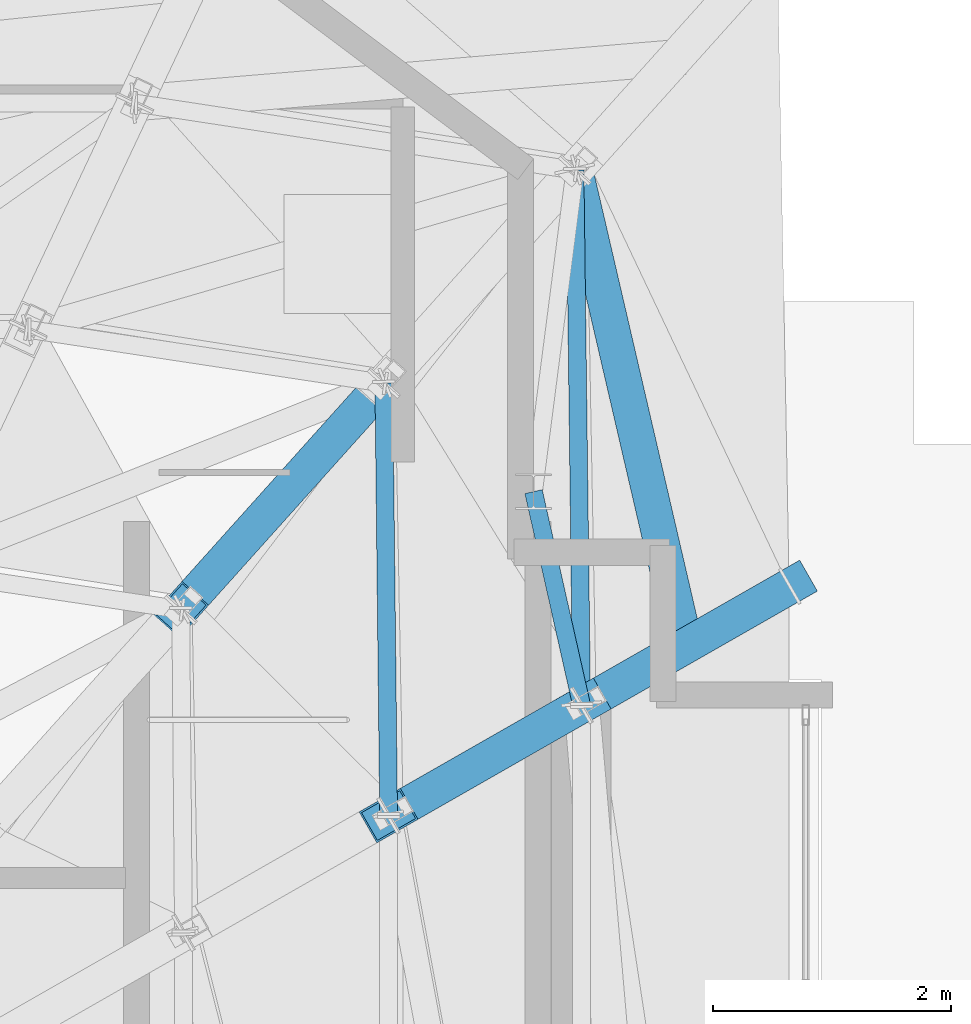
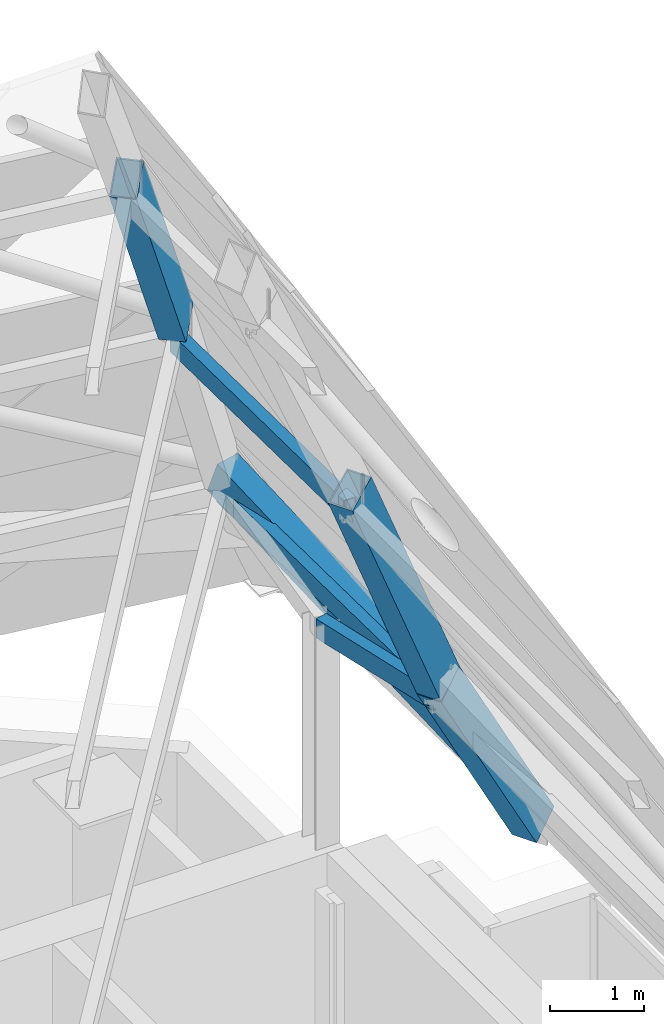
# One storey, part 16 of 30: 7 members.
"""IFC4 building model written with IfcOpenShell, lengths in metres."""

from ifc_helpers import new_model, si_unit, direction, frame, origin, origin_2d, place, context, subcontext, project, spatial, hollow_rectangle, extrude, material, material_profile, profile_set, type_object, element, save


model = new_model("IFC4")

# Units and contexts
model_context = context("Model", 3, precision=1e-05, world=origin(), true_north=direction((0.0, 1.0)))
body_context = subcontext(model_context, "Body", "Model", "MODEL_VIEW")
ifc_project = project(units=[si_unit("LENGTHUNIT", "METRE"), si_unit("AREAUNIT", "SQUARE_METRE"), si_unit("VOLUMEUNIT", "CUBIC_METRE"), si_unit("PLANEANGLEUNIT", "RADIAN"), si_unit("MASSUNIT", "GRAM", prefix="KILO")], contexts=[model_context])

# Site, building, storey
site_placement = place(None, origin())
site = spatial("IfcSite", under=ifc_project, at=site_placement, CompositionType="ELEMENT")
building_placement = place(site_placement, origin())
building = spatial("IfcBuilding", under=site, at=building_placement, Name="Haolan Belvedere Tower", CompositionType="ELEMENT")
storey_placement = place(building_placement, frame((0.0, 0.0, 333.0)))
storey = spatial("IfcBuildingStorey", under=building, at=storey_placement, Name="L83", CompositionType="ELEMENT", Elevation=333.0)

# Members
ifc_material = material(Name="Steel Q355B", Category="steel")
ifc_material_profile_1 = material_profile(ifc_material, hollow_rectangle(XDim=0.300048828125, YDim=0.449951171875, WallThickness=0.01611328125, at=origin_2d()), Name="Steel Q355B")
ifc_profile_set_1 = profile_set([ifc_material_profile_1], Name="Steel Q355B")
member_type_1 = type_object("IfcMemberType", Name="MEM-BOX450x300x16", PredefinedType="RAFTER", material=ifc_profile_set_1)
member_1_placement = place(storey_placement, frame((47.67724609375, 41.9013671875, 6.302001953125), z_axis=(-0.211956904095, 0.913465164493, 0.347355241884), x_axis=(-0.974120099995, -0.226031039428, 0.0)))
element("IfcMember", 1, at=member_1_placement, inside=storey, type_object=member_type_1, Name="Crown frame Tier-1 diagonal hip rafter 06", PredefinedType="RAFTER", context=body_context, shape_type="SweptSolid", body=[
    extrude(hollow_rectangle(XDim=0.300048828125, YDim=0.449951171875, WallThickness=0.01611328125, at=origin_2d()), origin(), (0.0, 0.0, 1.0), 4.381591796875),
])
member_2_placement = place(storey_placement, frame((48.550048828125, 42.39990234375, 4.780029296875), z_axis=(-0.478519734507, -0.27339204412, 0.834431335641), x_axis=(0.496073547347, -0.868280505149, 0.0)))
element("IfcMember", 2, at=member_2_placement, inside=storey, type_object=member_type_1, Name="Crown frame sloped hip rafter T1-06", PredefinedType="RAFTER", context=body_context, shape_type="SweptSolid", body=[
    extrude(hollow_rectangle(XDim=0.300048828125, YDim=0.449951171875, WallThickness=0.01611328125, at=origin_2d()), origin(), (0.0, 0.0, 1.0), 3.64794921875),
])
member_3_placement = place(storey_placement, frame((46.804443359375, 41.402587890625, 7.823974609375), z_axis=(-0.399745836216, -0.228417607255, 0.887709785416), x_axis=(0.496124881772, -0.868251174308, 0.0)))
element("IfcMember", 3, at=member_3_placement, inside=storey, type_object=member_type_1, Name="Crown frame sloped hip rafter T2-06", PredefinedType="RAFTER", context=body_context, shape_type="SweptSolid", body=[
    extrude(hollow_rectangle(XDim=0.300048828125, YDim=0.449951171875, WallThickness=0.01611328125, at=origin_2d()), origin(), (0.0, 0.0, 1.0), 4.062744140625),
])
member_4_placement = place(storey_placement, frame((45.140380859375, 44.11181640625, 11.430419921875), z_axis=(-0.386029796319, -0.430215258858, 0.816024403679), x_axis=(0.744294586256, -0.667851457189, 0.0)))
element("IfcMember", 4, at=member_4_placement, inside=storey, type_object=member_type_1, Name="Crown frame sloped hip rafter T3-07", PredefinedType="RAFTER", context=body_context, shape_type="SweptSolid", body=[
    extrude(hollow_rectangle(XDim=0.300048828125, YDim=0.449951171875, WallThickness=0.01611328125, at=origin_2d()), origin(), (0.0, 0.0, 1.0), 4.42578125),
])
ifc_material_profile_2 = material_profile(ifc_material, hollow_rectangle(XDim=0.14990234375, YDim=0.25, WallThickness=0.010009765625, at=origin_2d()), Name="Steel Q355B")
ifc_profile_set_2 = profile_set([ifc_material_profile_2], Name="Steel Q355B")
member_type_2 = type_object("IfcMemberType", Name="MEM-RHS250x150x10", PredefinedType="PURLIN", material=ifc_profile_set_2)
member_5_placement = place(storey_placement, frame((46.39990234375, 43.199951171875, 7.583984375), z_axis=(0.219581567224, -0.975594144783, 0.0), x_axis=(0.975594144783, 0.219581567224, 0.0)))
element("IfcMember", 5, at=member_5_placement, inside=storey, type_object=member_type_2, Name="Crown Tier-1 post-to-ring chord 06", PredefinedType="STRUT", context=body_context, shape_type="SweptSolid", body=[
    extrude(hollow_rectangle(XDim=0.14990234375, YDim=0.25, WallThickness=0.010009765625, at=origin_2d()), origin(), (0.0, 0.0, 1.0), 1.84228515625),
])
member_6_placement = place(storey_placement, frame((46.804443359375, 41.402587890625, 7.583984375), z_axis=(-0.012419717837, 0.99992287233, 0.0), x_axis=(-0.99992287233, -0.012419717837, 0.0)))
element("IfcMember", 6, at=member_6_placement, inside=storey, type_object=member_type_2, Name="Crown frame horizontal ring purlin T1-06", PredefinedType="PURLIN", context=body_context, shape_type="SweptSolid", body=[
    extrude(hollow_rectangle(XDim=0.14990234375, YDim=0.25, WallThickness=0.010009765625, at=origin_2d()), origin(), (0.0, 0.0, 1.0), 4.50146484375),
])
member_7_placement = place(storey_placement, frame((45.180419921875, 40.474609375, 11.1904296875), z_axis=(-0.011007522092, 0.999939415393, 0.0), x_axis=(-0.999939415393, -0.011007522092, 0.0)))
element("IfcMember", 7, at=member_7_placement, inside=storey, type_object=member_type_2, Name="Crown frame horizontal ring purlin T2-06", PredefinedType="PURLIN", context=body_context, shape_type="SweptSolid", body=[
    extrude(hollow_rectangle(XDim=0.14990234375, YDim=0.25, WallThickness=0.010009765625, at=origin_2d()), origin(), (0.0, 0.0, 1.0), 3.637451171875),
])

save(model, "model.ifc")
